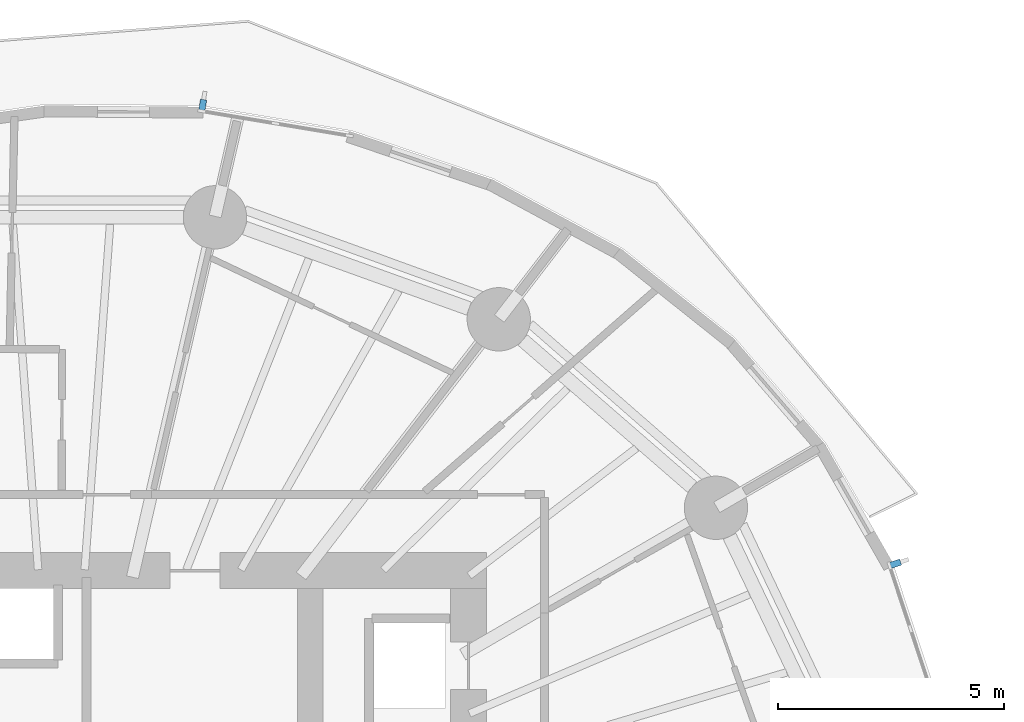
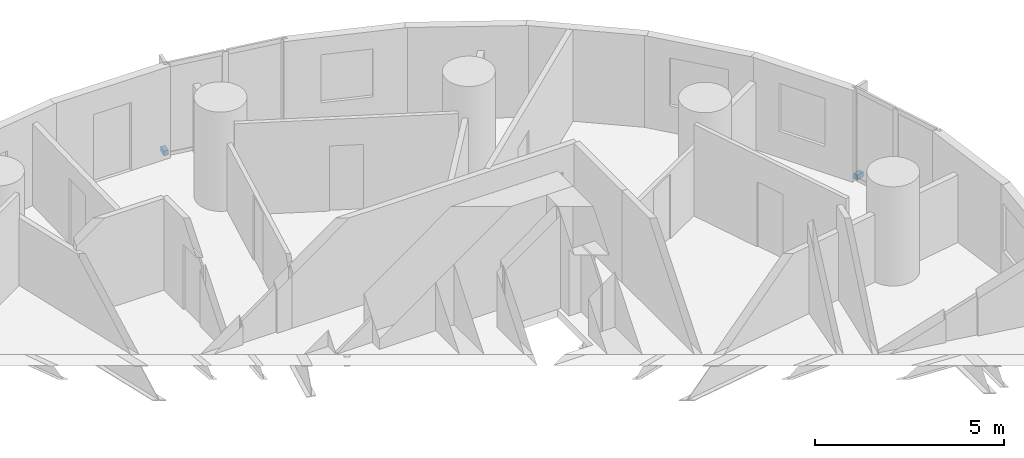
# One storey, part 9 of 13: 2 discrete accessories.
"""IFC4 building model written with IfcOpenShell, lengths in metres."""

from ifc_helpers import new_model, si_unit, direction, frame, origin, origin_2d, place, context, subcontext, project, spatial, rectangle, extrude, material, type_object, element, save


model = new_model("IFC4")

# Units and contexts
model_context = context("Model", 3, precision=1e-05, world=origin(), true_north=direction((0.0, 1.0)))
body_context = subcontext(model_context, "Body", "Model", "MODEL_VIEW")
ifc_project = project(units=[si_unit("LENGTHUNIT", "METRE"), si_unit("AREAUNIT", "SQUARE_METRE"), si_unit("VOLUMEUNIT", "CUBIC_METRE"), si_unit("PLANEANGLEUNIT", "RADIAN"), si_unit("MASSUNIT", "GRAM", prefix="KILO")], contexts=[model_context])

# Site, building, storey
site_placement = place(None, origin())
site = spatial("IfcSite", under=ifc_project, at=site_placement, CompositionType="ELEMENT")
building_placement = place(site_placement, origin())
building = spatial("IfcBuilding", under=site, at=building_placement, Name="Veldorim Arch Residences", CompositionType="ELEMENT")
storey_placement = place(building_placement, frame((0.0, 0.0, 56.800048828125)))
storey = spatial("IfcBuildingStorey", under=building, at=storey_placement, Name="L16", CompositionType="ELEMENT", Elevation=56.800048828125)

# Discrete accessories
ifc_material = material(Name="Stainless Steel", Category="steel")
discrete_accessory_type = type_object("IfcDiscreteAccessoryType", Name="Stainless Steel Facade Fin Anchor Bracket", PredefinedType="BRACKET", material=ifc_material)
for number, where, z_axis, x_axis, name in (
    (1, (50.433349609375, 31.152587890625, -0.02001953125), (0.0, 0.0, 1.0), (0.314820866332, -0.949151106053, 0.0), "L16 stainless fin anchor bracket 01"),
    (2, (35.122802734375, 41.292236328125, -0.02001953125), (0.0, 0.0, 1.0), (0.986429257176, -0.164186846569, 0.0), "L16 stainless fin anchor bracket 07"),
):
    element("IfcDiscreteAccessory", number, at=place(storey_placement, frame(where, z_axis=z_axis, x_axis=x_axis)), inside=storey, type_object=discrete_accessory_type, Name=name, PredefinedType="BRACKET", context=body_context, shape_type="SweptSolid", body=[
        extrude(rectangle(XDim=0.139892578125, YDim=0.239990234375, at=origin_2d()), origin(), (0.0, 0.0, 1.0), 0.159912109375),
    ])

save(model, "model.ifc")
